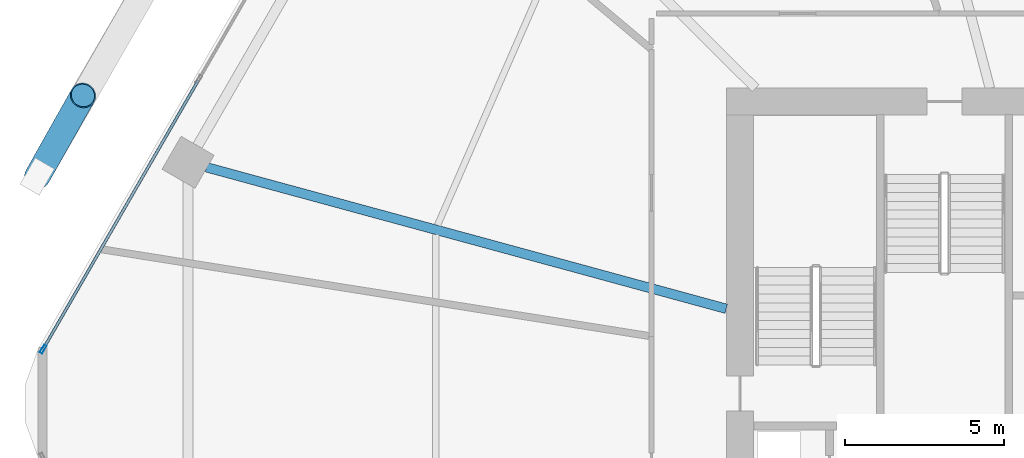
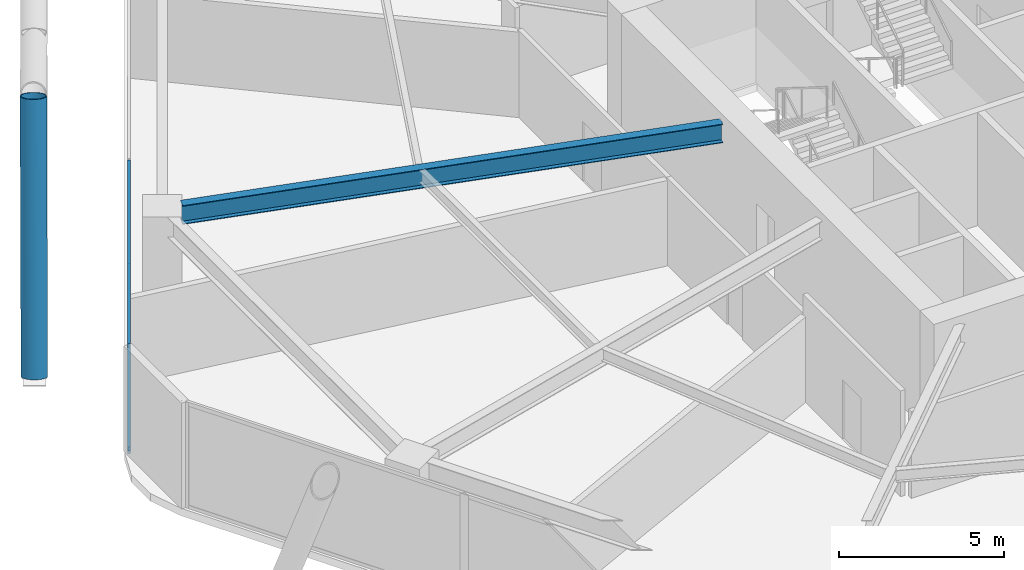
# One storey, part 13 of 29: 4 members, 1 beam, 1 element without a shape of its own.
"""IFC4 building model written with IfcOpenShell, lengths in metres."""

from ifc_helpers import new_model, si_unit, direction, frame, origin, origin_2d, place, context, subcontext, project, spatial, hollow_rectangle, hollow_circle, i_section, extrude, material, material_profile, profile_set, type_object, element, aggregate, save


model = new_model("IFC4")

# Units and contexts
model_context = context("Model", 3, precision=1e-05, world=origin(), true_north=direction((0.0, 1.0)))
body_context = subcontext(model_context, "Body", "Model", "MODEL_VIEW")
ifc_project = project(units=[si_unit("LENGTHUNIT", "METRE"), si_unit("AREAUNIT", "SQUARE_METRE"), si_unit("VOLUMEUNIT", "CUBIC_METRE"), si_unit("PLANEANGLEUNIT", "RADIAN"), si_unit("MASSUNIT", "GRAM", prefix="KILO")], contexts=[model_context])

# Site, building, storey
site_placement = place(None, origin())
site = spatial("IfcSite", under=ifc_project, at=site_placement, CompositionType="ELEMENT")
building_placement = place(site_placement, origin())
building = spatial("IfcBuilding", under=site, at=building_placement, Name="Zuhravey Tower", CompositionType="ELEMENT")
storey_placement = place(building_placement, frame((0.0, 0.0, 41.39990234375)))
storey = spatial("IfcBuildingStorey", under=building, at=storey_placement, Name="L10", CompositionType="ELEMENT", Elevation=41.39990234375)

# Curtain wall, members
ifc_material_1 = material(Name="Thermally broken anodised aluminium", Category="aluminium")
curtain_wall_type = type_object("IfcCurtainWallType", Name="School Low-E Unitised Curtain Wall CW1", PredefinedType="NOTDEFINED", material=ifc_material_1)
curtain_wall_placement = place(storey_placement, origin())
curtain_wall = element("IfcCurtainWall", 1, at=curtain_wall_placement, inside=storey, type_object=curtain_wall_type, Name="L10 CW1 CW-L10-F3-1", PredefinedType="NOTDEFINED")
ifc_material_2 = material(Name="Anodised aluminium", Category="aluminium")
ifc_material_profile_1 = material_profile(ifc_material_2, hollow_rectangle(XDim=0.090087890625, YDim=0.284912109375, WallThickness=0.0048828125, at=origin_2d()), Name="ALU-RHS-90x285x5")
ifc_profile_set_1 = profile_set([ifc_material_profile_1], Name="Anodised aluminium")
member_type_1 = type_object("IfcMemberType", Name="Curtain-Wall Mullion 90x180", PredefinedType="MULLION", material=ifc_profile_set_1)
member_1_placement = place(storey_placement, frame((3.5439453125, 33.701416015625, 0.0), z_axis=(0.0, 0.0, 1.0), x_axis=(-0.86602552265, 0.499999794119, 0.0)))
member_1 = element("IfcMember", 2, at=member_1_placement, type_object=member_type_1, Name="CW1 mullion 1", PredefinedType="MULLION", context=body_context, shape_type="SweptSolid", body=[
    extrude(hollow_rectangle(XDim=0.090087890625, YDim=0.284912109375, WallThickness=0.0048828125, at=origin_2d()), origin(), (0.0, 0.0, 1.0), 3.920166015625),
])
ifc_material_profile_2 = material_profile(ifc_material_2, hollow_rectangle(XDim=0.090087890625, YDim=0.14990234375, WallThickness=0.0048828125, at=origin_2d()), Name="ALU-RHS-90x150x5")
ifc_profile_set_2 = profile_set([ifc_material_profile_2], Name="Anodised aluminium")
member_type_2 = type_object("IfcMemberType", Name="Curtain-Wall Transom 90x150", PredefinedType="USERDEFINED", material=ifc_profile_set_2)
member_2_placement = place(storey_placement, frame((3.56640625, 33.740478515625, 0.045166015625), z_axis=(0.500008393077, 0.866020557985, 0.0), x_axis=(-0.866020557985, 0.500008393077, 0.0)))
member_2 = element("IfcMember", 3, at=member_2_placement, type_object=member_type_2, Name="CW1 transom 1.1", ObjectType="TRANSOM", PredefinedType="USERDEFINED", context=body_context, shape_type="SweptSolid", body=[
    extrude(hollow_rectangle(XDim=0.090087890625, YDim=0.14990234375, WallThickness=0.0048828125, at=origin_2d()), origin(), (0.0, 0.0, 1.0), 9.731201171875),
])
member_3_placement = place(storey_placement, frame((3.56640625, 33.740478515625, 3.875), z_axis=(0.500008393077, 0.866020557985, 0.0), x_axis=(-0.866020557985, 0.500008393077, 0.0)))
member_3 = element("IfcMember", 4, at=member_3_placement, type_object=member_type_2, Name="CW1 transom 1.2", ObjectType="TRANSOM", PredefinedType="USERDEFINED", context=body_context, shape_type="SweptSolid", body=[
    extrude(hollow_rectangle(XDim=0.090087890625, YDim=0.14990234375, WallThickness=0.0048828125, at=origin_2d()), origin(), (0.0, 0.0, 1.0), 9.731201171875),
])
aggregate(curtain_wall, [member_1, member_2, member_3])

# Member
ifc_material_3 = material(Name="Steel SM460", Category="steel")
ifc_material_profile_3 = material_profile(ifc_material_3, hollow_circle(Radius=0.406494140625, WallThickness=0.035888671875, at=origin_2d()), Name="CHS-812.8x36")
ifc_profile_set_3 = profile_set([ifc_material_profile_3], Name="Steel SM460")
member_type_3 = type_object("IfcMemberType", Name="Exoskeleton Zone 1 Diagrid CHS813x36", PredefinedType="BRACE", material=ifc_profile_set_3)
member_4_placement = place(storey_placement, frame((3.362548828125, 39.147216796875, -0.471923828125), z_axis=(0.162383773974, 0.288038869576, 0.943750560033), x_axis=(-0.871107455363, 0.491092456886, 0.0)))
element("IfcMember", 5, at=member_4_placement, inside=storey, type_object=member_type_3, Name="L10 Face 3 Diagrid Brace 4", PredefinedType="BRACE", context=body_context, shape_type="SweptSolid", body=[
    extrude(hollow_circle(Radius=0.406494140625, WallThickness=0.035888671875, at=origin_2d()), origin(), (0.0, 0.0, 1.0), 8.85400390625),
])

# Beam
ifc_material_4 = material(Name="Steel SM355", Category="steel")
ifc_material_profile_4 = material_profile(ifc_material_4, i_section(OverallWidth=0.300048828125, OverallDepth=0.699951171875, WebThickness=0.012939453125, FlangeThickness=0.02392578125, at=origin_2d()), Name="H-700x300x13x24")
ifc_profile_set_4 = profile_set([ifc_material_profile_4], Name="Steel SM355")
beam_type = type_object("IfcBeamType", Name="Radial Primary Girder H700x300", PredefinedType="BEAM", material=ifc_profile_set_4)
beam_placement = place(storey_placement, frame((25.072021484375, 34.974609375, 3.570068359375), z_axis=(-0.964892480455, 0.26264520015, 0.0), x_axis=(-0.26264520015, -0.964892480455, 0.0)))
element("IfcBeam", 6, at=beam_placement, inside=storey, type_object=beam_type, Name="L10 RG1 BM-L10-RAD-06", PredefinedType="BEAM", context=body_context, shape_type="SweptSolid", body=[
    extrude(i_section(OverallWidth=0.300048828125, OverallDepth=0.699951171875, WebThickness=0.012939453125, FlangeThickness=0.02392578125, at=origin_2d()), origin(), (0.0, 0.0, 1.0), 16.975341796875),
])

save(model, "model.ifc")
